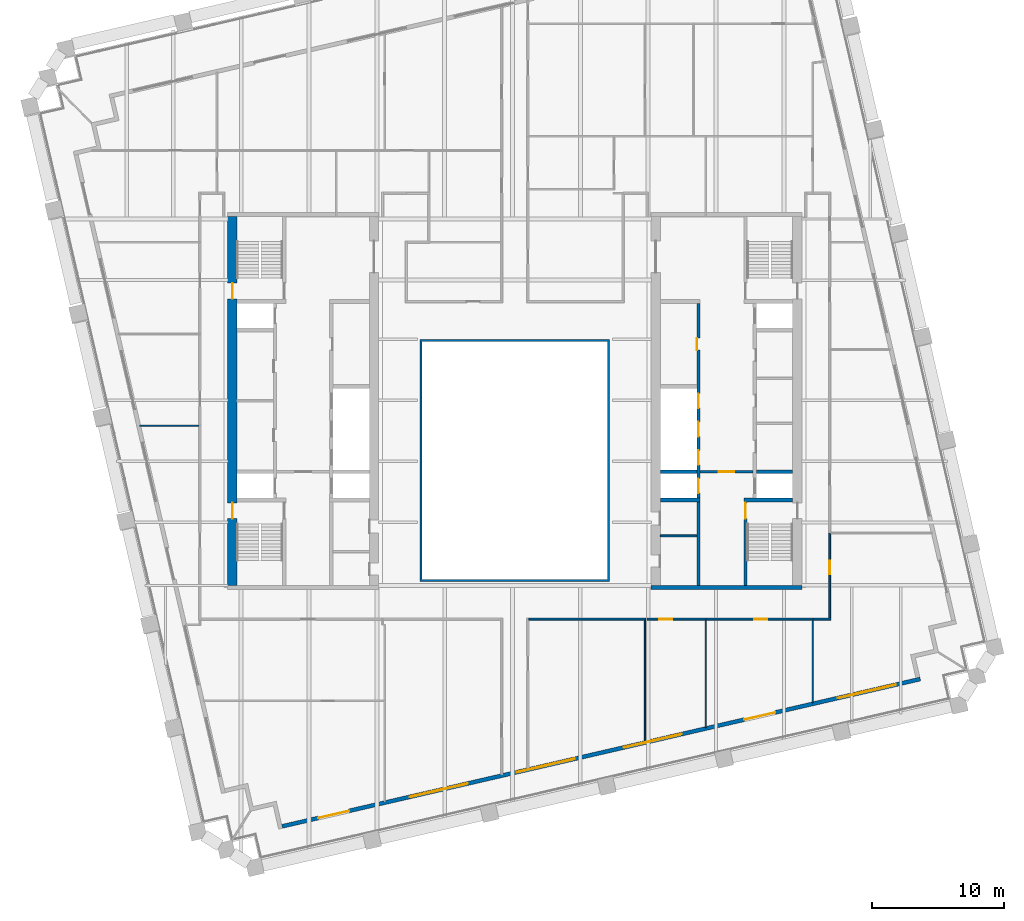
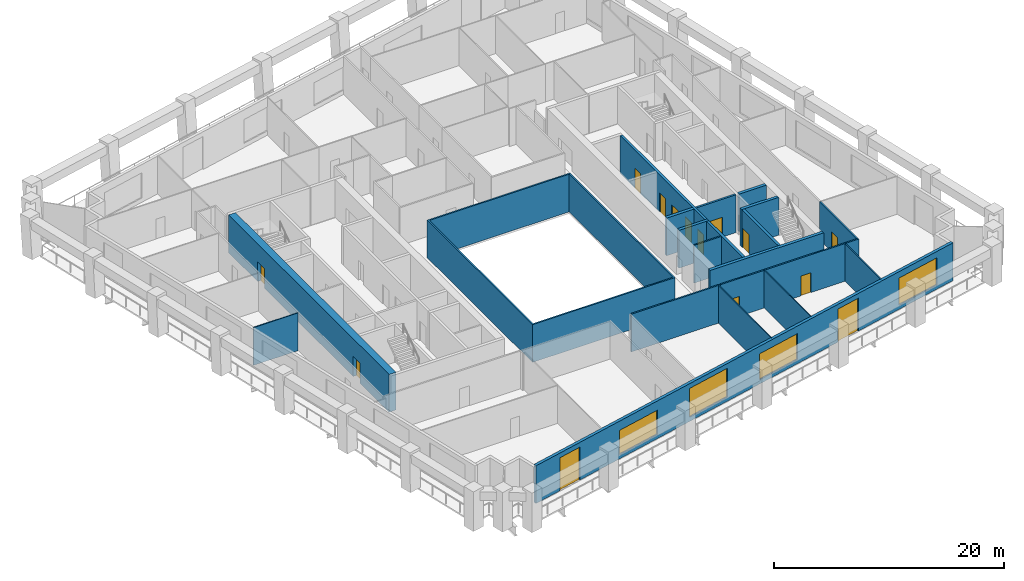
# One storey, part 5 of 11: 21 walls, 14 doors, 4 windows, 18 openings.
"""IFC4 building model written with IfcOpenShell, lengths in metres."""

import ifcopenshell
import ifcopenshell.guid

model = None  # the IFC model being written
_history = None  # IfcOwnerHistory: only IFC2X3 demands one
_inside = {}  # id of a spatial element -> (the spatial element, [elements in it])
_under = {}  # id of a project, library or spatial element -> (it, [spatial elements below it])
_declared = {}  # id of a project -> (the project, [libraries it declares])
_typed = {}  # id of a type object -> (the type object, [elements of that type])
_made_of = {}  # id of a material, layer set ... -> (it, [elements and type objects made of it])


def new_model(schema):
    """Start an empty IFC model of exactly this schema.

    Asked for "IFC4X3", IfcOpenShell would pick the latest addendum, in which some entities
    have other attributes; the version numbers below select the first issue.
    IFC2X3 requires an IfcOwnerHistory on every rooted entity: one is made here for all.
    """
    global model, _history
    if schema == "IFC4X3":
        model = ifcopenshell.file(schema_version=(4, 3, 0, 0))
    else:
        model = ifcopenshell.file(schema=schema)
    _inside.clear()
    _under.clear()
    _declared.clear()
    _typed.clear()
    _made_of.clear()
    _history = None
    if model.schema == "IFC2X3":
        org = make("IfcOrganization", Name="unknown")
        user = make(
            "IfcPersonAndOrganization",
            ThePerson=make("IfcPerson", FamilyName="unknown"),
            TheOrganization=org,
        )
        app = make(
            "IfcApplication",
            ApplicationDeveloper=org,
            Version="unknown",
            ApplicationFullName="unknown",
            ApplicationIdentifier="unknown",
        )
        _history = make(
            "IfcOwnerHistory",
            OwningUser=user,
            OwningApplication=app,
            ChangeAction="ADDED",
            CreationDate=0,
        )
    return model


def make(cls, **values):
    """One entity of the class cls with the attributes given. An attribute that is None is left unset."""
    return model.create_entity(
        cls, **{name: value for name, value in values.items() if value is not None}
    )


def rooted(cls, **values):
    """An entity with a GlobalId (a new one), such as an element, a storey or a relation."""
    return make(cls, GlobalId=ifcopenshell.guid.new(), OwnerHistory=_history, **values)


def si_unit(unit_type, name, prefix=None):
    """IfcSIUnit, for example si_unit("LENGTHUNIT", "METRE", prefix="MILLI")."""
    return make("IfcSIUnit", UnitType=unit_type, Prefix=prefix, Name=name)


def assignment(units):
    """IfcUnitAssignment: the units of a project."""
    return None if units is None else make("IfcUnitAssignment", Units=units)


def point(xyz):
    """IfcCartesianPoint."""
    return None if xyz is None else make("IfcCartesianPoint", Coordinates=xyz)


def direction(xyz):
    """IfcDirection."""
    return None if xyz is None else make("IfcDirection", DirectionRatios=xyz)


def frame(location, z_axis=None, x_axis=None):
    """IfcAxis2Placement3D, a coordinate frame: its origin and axes. An axis left out is left unset."""
    return make(
        "IfcAxis2Placement3D",
        Location=point(location),
        Axis=direction(z_axis),
        RefDirection=direction(x_axis),
    )


def frame_2d(location, x_axis=None):
    """IfcAxis2Placement2D, a coordinate frame in the plane: its origin and x axis."""
    return make(
        "IfcAxis2Placement2D", Location=point(location), RefDirection=direction(x_axis)
    )


def origin():
    """The frame at (0, 0, 0) with its axes left unset."""
    return frame((0.0, 0.0, 0.0))


def place(relative_to, where):
    """IfcLocalPlacement: puts the frame where relative to a parent placement (None: the world)."""
    return make(
        "IfcLocalPlacement", PlacementRelTo=relative_to, RelativePlacement=where
    )


def context(
    kind, dimensions, precision=None, world=None, true_north=None, identifier=None
):
    """IfcGeometricRepresentationContext, for example the 3D "Model" context."""
    return make(
        "IfcGeometricRepresentationContext",
        ContextIdentifier=identifier,
        ContextType=kind,
        CoordinateSpaceDimension=dimensions,
        Precision=precision,
        WorldCoordinateSystem=world,
        TrueNorth=true_north,
    )


def subcontext(parent, identifier, kind, view, scale=None):
    """IfcGeometricRepresentationSubContext, for example "Body" below "Model"."""
    return make(
        "IfcGeometricRepresentationSubContext",
        ContextIdentifier=identifier,
        ContextType=kind,
        ParentContext=parent,
        TargetScale=scale,
        TargetView=view,
    )


def project(units=None, contexts=None):
    """IfcProject with its units and contexts."""
    return rooted(
        "IfcProject",
        Name="project",
        RepresentationContexts=contexts,
        UnitsInContext=assignment(units),
    )


def spatial(cls, under=None, at=None, **own):
    """A site, building, storey or space (cls), placed at a placement, below another one or the project."""
    s = rooted(cls, ObjectPlacement=at, **own)
    if under is not None:
        _under.setdefault(under.id(), (under, []))[1].append(s)
    return s


def polyline(points):
    """IfcPolyline through the points."""
    return make("IfcPolyline", Points=[point(p) for p in points])


def profile(cls, at=None, kind="AREA", **sizes):
    """A parametric profile (cls). Its sizes go by their IFC names, for example OverallWidth=200.0."""
    return make(cls, ProfileType=kind, Position=at, **sizes)


def rectangle(**sizes):
    """IfcRectangleProfileDef."""
    return profile("IfcRectangleProfileDef", **sizes)


def outline(outer, holes=None, kind="AREA"):
    """IfcArbitraryClosedProfileDef: a profile drawn as a closed curve; with holes, ...WithVoids."""
    if holes is None:
        return make("IfcArbitraryClosedProfileDef", ProfileType=kind, OuterCurve=outer)
    return make(
        "IfcArbitraryProfileDefWithVoids",
        ProfileType=kind,
        OuterCurve=outer,
        InnerCurves=holes,
    )


def extrude(swept, where, along, depth):
    """IfcExtrudedAreaSolid: the profile swept, set in the frame where, extruded along a direction by depth."""
    return make(
        "IfcExtrudedAreaSolid",
        SweptArea=swept,
        Position=where,
        ExtrudedDirection=direction(along),
        Depth=depth,
    )


def shape(context_of_items, identifier, shape_type, items):
    """IfcShapeRepresentation: the items that make up one representation, for example the "Body"."""
    return make(
        "IfcShapeRepresentation",
        ContextOfItems=context_of_items,
        RepresentationIdentifier=identifier,
        RepresentationType=shape_type,
        Items=items,
    )


def material(Name=None, Category=None):
    """IfcMaterial."""
    return make("IfcMaterial", Name=Name, Category=Category)


def layer(
    of_material, thickness, ventilated=None, Name=None, Category=None, Priority=None
):
    """IfcMaterialLayer: one layer of a wall or slab, of a material (None: an air gap)."""
    return make(
        "IfcMaterialLayer",
        Material=of_material,
        LayerThickness=thickness,
        IsVentilated=ventilated,
        Name=Name,
        Category=Category,
        Priority=Priority,
    )


def layer_set(layers, Name=None):
    """IfcMaterialLayerSet."""
    return make("IfcMaterialLayerSet", MaterialLayers=layers, LayerSetName=Name)


def made_of(thing, what):
    """Note that an element or type object is made of a material, layer set ...; save() writes the relation."""
    if what is not None:
        _made_of.setdefault(what.id(), (what, []))[1].append(thing)
    return thing


def type_object(cls, material=None, **own):
    """A type object (cls), such as IfcWallType, which elements share."""
    return made_of(rooted(cls, **own), material)


def element(
    cls,
    number,
    at=None,
    inside=None,
    cuts=None,
    type_object=None,
    material=None,
    context=None,
    identifier="Body",
    shape_type=None,
    held_by="IfcProductDefinitionShape",
    body=None,
    shapes=None,
    **own,
):
    """One element of the class cls, such as IfcWall. Its Tag is "e" and its number.

    at: its placement. inside: the storey or other place that contains it. cuts: it is an
    opening in that element (IfcRelVoidsElement). A single representation is given by context,
    identifier, shape_type and body (its items); several are given by shapes. held_by: the class
    of the entity that holds the representations. save() writes the other relations.
    """
    e = rooted(cls, Tag="e%d" % number, ObjectPlacement=at, **own)
    if body is not None:
        shapes = [shape(context, identifier, shape_type, body)]
    if shapes is not None:
        e.Representation = make(held_by, Representations=shapes)
    if inside is not None:
        _inside.setdefault(inside.id(), (inside, []))[1].append(e)
    if cuts is not None:
        rooted(
            "IfcRelVoidsElement", RelatingBuildingElement=cuts, RelatedOpeningElement=e
        )
    if type_object is not None:
        _typed.setdefault(type_object.id(), (type_object, []))[1].append(e)
    return made_of(e, material)


def fill(opening, filler):
    """IfcRelFillsElement: the door or window that sits in an opening."""
    return rooted(
        "IfcRelFillsElement",
        RelatingOpeningElement=opening,
        RelatedBuildingElement=filler,
    )


def aggregate(whole, parts):
    """IfcRelAggregates: a whole, such as a stair, and the parts it consists of."""
    return rooted("IfcRelAggregates", RelatingObject=whole, RelatedObjects=parts)


def save(model, path):
    """Write the relations noted so far, then the file.

    IfcRelAggregates (storeys below a building ...), IfcRelContainedInSpatialStructure (elements
    in a storey), IfcRelDefinesByType, IfcRelAssociatesMaterial and IfcRelDeclares: one each for
    every whole, place, type object, material and project.
    """
    for whole, parts in _under.values():
        aggregate(whole, parts)
    for where, things in _inside.values():
        rooted(
            "IfcRelContainedInSpatialStructure",
            RelatedElements=things,
            RelatingStructure=where,
        )
    for kind, things in _typed.values():
        rooted("IfcRelDefinesByType", RelatedObjects=things, RelatingType=kind)
    for what, things in _made_of.values():
        rooted("IfcRelAssociatesMaterial", RelatedObjects=things, RelatingMaterial=what)
    for by, libraries in _declared.values():
        rooted("IfcRelDeclares", RelatingContext=by, RelatedDefinitions=libraries)
    model.write(path)


model = new_model("IFC4")

# Units and contexts
model_context = context("Model", 3, precision=1e-05, world=origin(), true_north=direction((0.0, 1.0)))
body_context = subcontext(model_context, "Body", "Model", "MODEL_VIEW")
ifc_project = project(units=[si_unit("LENGTHUNIT", "METRE"), si_unit("AREAUNIT", "SQUARE_METRE"), si_unit("VOLUMEUNIT", "CUBIC_METRE"), si_unit("PLANEANGLEUNIT", "RADIAN"), si_unit("MASSUNIT", "GRAM", prefix="KILO")], contexts=[model_context])

# Site, building, storey
site_placement = place(None, origin())
site = spatial("IfcSite", under=ifc_project, at=site_placement, CompositionType="ELEMENT")
building_placement = place(site_placement, origin())
building = spatial("IfcBuilding", under=site, at=building_placement, Name="Ogive Exchange Tower", CompositionType="ELEMENT")
storey_placement = place(building_placement, frame((0.0, 0.0, 184.199951171875)))
storey = spatial("IfcBuildingStorey", under=building, at=storey_placement, Name="L40", CompositionType="ELEMENT", Elevation=184.199951171875)

# Walls
ifc_material_1 = material(Name="Gypsum board partition")
ifc_layer_1 = layer(ifc_material_1, 0.14990234375)
ifc_layer_set_1 = layer_set([ifc_layer_1], Name="Core room partition 150 gypsum")
wall_type_1 = type_object("IfcWallType", Name="Core room partition 150 gypsum", PredefinedType="PARTITIONING", material=ifc_layer_set_1)
wall_1_placement = place(storey_placement, frame((11.0, 1.300048828125, 0.0), z_axis=(0.0, 0.0, 1.0), x_axis=(1.0, 0.0, 0.0)))
element("IfcWall", 1, at=wall_1_placement, inside=storey, type_object=wall_type_1, Name="E south room partition", PredefinedType="PARTITIONING", context=body_context, shape_type="SweptSolid", body=[
    extrude(rectangle(XDim=2.75, YDim=0.14990234375, at=frame_2d((1.375, 0.0))), origin(), (0.0, 0.0, 1.0), 4.0),
])
ifc_material_2 = material(Name="Fire partition EI 60 150")
ifc_layer_2 = layer(ifc_material_2, 0.14990234375)
ifc_layer_set_2 = layer_set([ifc_layer_2], Name="Fire partition EI 60 150")
wall_type_2 = type_object("IfcWallType", Name="Fire partition EI 60 150", PredefinedType="PARTITIONING", material=ifc_layer_set_2)
wall_2_placement = place(storey_placement, frame((9.8798828125, -5.0, 0.0), z_axis=(0.0, 0.0, 1.0), x_axis=(-1.0, 0.0, 0.0)))
element("IfcWall", 2, at=wall_2_placement, inside=storey, type_object=wall_type_2, Name="L40-PWL-055", PredefinedType="PARTITIONING", context=body_context, shape_type="SweptSolid", body=[
    extrude(rectangle(XDim=8.81494140625, YDim=0.14990234375, at=frame_2d((4.407470703125, 0.0))), origin(), (0.0, 0.0, 1.0), 4.0),
])

# Wall, opening, door
wall_3_placement = place(storey_placement, frame((14.429931640625, -5.0, 0.0), z_axis=(0.0, 0.0, 1.0), x_axis=(-1.0, 0.0, 0.0)))
wall_3 = element("IfcWall", 3, at=wall_3_placement, inside=storey, type_object=wall_type_2, Name="L40-PWL-064", PredefinedType="PARTITIONING", context=body_context, shape_type="SweptSolid", body=[
    extrude(rectangle(XDim=4.429931640625, YDim=0.14990234375, at=frame_2d((2.21484375, 0.0))), origin(), (0.0, 0.0, 1.0), 4.0),
])
opening_1_placement = place(wall_3_placement, frame((2.530029296875, 0.0, 0.0)))
opening_1 = element("IfcOpeningElement", 4, at=opening_1_placement, cuts=wall_3, Name="Opening L40-I16", PredefinedType="OPENING", context=body_context, shape_type="SweptSolid", body=[
    extrude(rectangle(XDim=1.0, YDim=2.10009765625, at=frame_2d((0.5, 1.050048828125))), frame((0.0, 0.0849609375, 0.0), z_axis=(0.0, -1.0, 0.0), x_axis=(1.0, 0.0, 0.0)), (0.0, 0.0, 1.0), 0.169921875),
])
ifc_material_3 = material(Name="Fire door FD 30S 1000 x 2100")
door_type_1 = type_object("IfcDoorType", Name="Fire door FD 30S 1000 x 2100", OperationType="NOTDEFINED", PredefinedType="DOOR", material=ifc_material_3)
door_1_placement = place(opening_1_placement, origin())
door_1 = element("IfcDoor", 5, at=door_1_placement, inside=storey, type_object=door_type_1, Name="L40-IDR-016", ObjectType="DT3", OperationType="SINGLE_SWING_LEFT", OverallHeight=2.10009765625, OverallWidth=1.0, PredefinedType="DOOR", context=body_context, shape_type="SweptSolid", body=[
    extrude(rectangle(XDim=1.0, YDim=2.10009765625, at=frame_2d((0.5, 1.050048828125))), frame((0.0, 0.02490234375, 0.0), z_axis=(0.0, -1.0, 0.0), x_axis=(1.0, 0.0, 0.0)), (0.0, 0.0, 1.0), 0.050048828125),
])
fill(opening_1, door_1)

wall_4_placement = place(storey_placement, frame((22.570068359375, -5.0, 0.0), z_axis=(0.0, 0.0, 1.0), x_axis=(-1.0, 0.0, 0.0)))
wall_4 = element("IfcWall", 6, at=wall_4_placement, inside=storey, type_object=wall_type_2, Name="L40-PWL-070", PredefinedType="PARTITIONING", context=body_context, shape_type="SweptSolid", body=[
    extrude(rectangle(XDim=8.14013671875, YDim=0.14990234375, at=frame_2d((4.070068359375, 0.0))), origin(), (0.0, 0.0, 1.0), 4.0),
])
opening_2_placement = place(wall_4_placement, frame((3.489990234375, 0.0, 0.0)))
opening_2 = element("IfcOpeningElement", 7, at=opening_2_placement, cuts=wall_4, Name="Opening L40-I17", PredefinedType="OPENING", context=body_context, shape_type="SweptSolid", body=[
    extrude(rectangle(XDim=1.0, YDim=2.10009765625, at=frame_2d((0.5, 1.050048828125))), frame((0.0, 0.0849609375, 0.0), z_axis=(0.0, -1.0, 0.0), x_axis=(1.0, 0.0, 0.0)), (0.0, 0.0, 1.0), 0.169921875),
])
door_2_placement = place(opening_2_placement, origin())
door_2 = element("IfcDoor", 8, at=door_2_placement, inside=storey, type_object=door_type_1, Name="L40-IDR-017", ObjectType="DT3", OperationType="SINGLE_SWING_LEFT", OverallHeight=2.10009765625, OverallWidth=1.0, PredefinedType="DOOR", context=body_context, shape_type="SweptSolid", body=[
    extrude(rectangle(XDim=1.0, YDim=2.10009765625, at=frame_2d((0.5, 1.050048828125))), frame((0.0, 0.02490234375, 0.0), z_axis=(0.0, -1.0, 0.0), x_axis=(1.0, 0.0, 0.0)), (0.0, 0.0, 1.0), 0.050048828125),
])
fill(opening_2, door_2)

# Wall
wall_5_placement = place(storey_placement, frame((23.875, -5.0, 0.0), z_axis=(0.0, 0.0, 1.0), x_axis=(-1.0, 0.0, 0.0)))
element("IfcWall", 9, at=wall_5_placement, inside=storey, type_object=wall_type_2, Name="L40-PWL-077", PredefinedType="PARTITIONING", context=body_context, shape_type="SweptSolid", body=[
    extrude(rectangle(XDim=1.304931640625, YDim=0.14990234375, at=frame_2d((0.65234375, 0.0))), origin(), (0.0, 0.0, 1.0), 4.0),
])

# Wall, opening, door
wall_6_placement = place(storey_placement, frame((23.800048828125, 1.510009765625, 0.0), z_axis=(0.0, 0.0, 1.0), x_axis=(0.0, -1.0, 0.0)))
wall_6 = element("IfcWall", 10, at=wall_6_placement, inside=storey, type_object=wall_type_2, Name="L40-PWL-078", PredefinedType="PARTITIONING", context=body_context, shape_type="SweptSolid", body=[
    extrude(rectangle(XDim=6.43505859375, YDim=0.14990234375, at=frame_2d((3.217529296875, 0.0))), origin(), (0.0, 0.0, 1.0), 4.0),
])
opening_3_placement = place(wall_6_placement, frame((2.110107421875, 0.0, 0.0)))
opening_3 = element("IfcOpeningElement", 11, at=opening_3_placement, cuts=wall_6, Name="Opening L40-I18", PredefinedType="OPENING", context=body_context, shape_type="SweptSolid", body=[
    extrude(rectangle(XDim=1.0, YDim=2.10009765625, at=frame_2d((0.5, 1.050048828125))), frame((0.0, 0.0849609375, 0.0), z_axis=(0.0, -1.0, 0.0), x_axis=(1.0, 0.0, 0.0)), (0.0, 0.0, 1.0), 0.169921875),
])
door_3_placement = place(opening_3_placement, origin())
door_3 = element("IfcDoor", 12, at=door_3_placement, inside=storey, type_object=door_type_1, Name="L40-IDR-018", ObjectType="DT3", OperationType="SINGLE_SWING_RIGHT", OverallHeight=2.10009765625, OverallWidth=1.0, PredefinedType="DOOR", context=body_context, shape_type="SweptSolid", body=[
    extrude(rectangle(XDim=1.0, YDim=2.10009765625, at=frame_2d((0.5, 1.050048828125))), frame((0.0, 0.02490234375, 0.0), z_axis=(0.0, -1.0, 0.0), x_axis=(1.0, 0.0, 0.0)), (0.0, 0.0, 1.0), 0.050048828125),
])
fill(opening_3, door_3)

# Wall
ifc_material_4 = material(Name="Fire-resisting glass in steel frame", Category="steel")
ifc_layer_3 = layer(ifc_material_4, 0.14990234375)
ifc_layer_set_3 = layer_set([ifc_layer_3], Name="Fire-rated glazed wall 150")
wall_type_3 = type_object("IfcWallType", Name="Fire-rated glazed wall 150", PredefinedType="STANDARD", material=ifc_layer_set_3)
wall_7_placement = place(storey_placement, origin())
element("IfcWall", 13, at=wall_7_placement, inside=storey, type_object=wall_type_3, Name="Nave enclosure wall", PredefinedType="STANDARD", context=body_context, shape_type="SweptSolid", body=[
    extrude(outline(polyline([(-7.14990234375, -2.14990234375), (7.14990234375, -2.14990234375), (7.14990234375, 16.14990234375), (-7.14990234375, 16.14990234375), (-7.14990234375, -2.14990234375)]), holes=[polyline([(-7.0, -2.0), (-7.0, 16.0), (7.0, 16.0), (7.0, -2.0), (-7.0, -2.0)])]), origin(), (0.0, 0.0, 1.0), 4.0),
])

# Wall, openings, doors, windows
ifc_material_5 = material(Name="Precast concrete C40/50", Category="concrete")
ifc_layer_4 = layer(ifc_material_5, 0.300048828125)
ifc_layer_set_4 = layer_set([ifc_layer_4], Name="Limestone-faced wall 300")
wall_type_4 = type_object("IfcWallType", Name="Limestone-faced wall 300", PredefinedType="STANDARD", material=ifc_layer_set_4)
wall_8_placement = place(storey_placement, frame((-17.592041015625, -20.6572265625, 0.0), z_axis=(0.0, 0.0, 1.0), x_axis=(0.974370243697, 0.224950279389, 0.0)))
wall_8 = element("IfcWall", 14, at=wall_8_placement, inside=storey, type_object=wall_type_4, Name="External wall S1", PredefinedType="STANDARD", context=body_context, shape_type="SweptSolid", body=[
    extrude(rectangle(XDim=49.499755859375, YDim=0.300048828125, at=frame_2d((24.75, 0.0))), origin(), (0.0, 0.0, 1.0), 4.0),
])
opening_4_placement = place(wall_8_placement, frame((2.800048828125, 0.0, 0.0)))
opening_4 = element("IfcOpeningElement", 15, at=opening_4_placement, cuts=wall_8, Name="Opening D1", PredefinedType="OPENING", context=body_context, shape_type="SweptSolid", body=[
    extrude(rectangle(XDim=2.39990234375, YDim=3.5, at=frame_2d((1.199951171875, 1.75))), frame((0.0, 0.159912109375, 0.0), z_axis=(0.0, -1.0, 0.0), x_axis=(1.0, 0.0, 0.0)), (0.0, 0.0, 1.0), 0.320068359375),
])
opening_5_placement = place(wall_8_placement, frame((9.89990234375, 0.0, 0.449951171875)))
opening_5 = element("IfcOpeningElement", 16, at=opening_5_placement, cuts=wall_8, Name="Opening W1M", PredefinedType="OPENING", context=body_context, shape_type="SweptSolid", body=[
    extrude(rectangle(XDim=4.5, YDim=2.574951171875, at=frame_2d((2.25, 1.28759765625))), frame((0.0, 0.159912109375, 0.0), z_axis=(0.0, -1.0, 0.0), x_axis=(1.0, 0.0, 0.0)), (0.0, 0.0, 1.0), 0.320068359375),
])
opening_6_placement = place(wall_8_placement, frame((18.199951171875, 0.0, 0.449951171875)))
opening_6 = element("IfcOpeningElement", 17, at=opening_6_placement, cuts=wall_8, Name="Opening W1", PredefinedType="OPENING", context=body_context, shape_type="SweptSolid", body=[
    extrude(rectangle(XDim=4.5, YDim=3.050048828125, at=frame_2d((2.25, 1.52490234375))), frame((0.0, 0.159912109375, 0.0), z_axis=(0.0, -1.0, 0.0), x_axis=(1.0, 0.0, 0.0)), (0.0, 0.0, 1.0), 0.320068359375),
])
opening_7_placement = place(wall_8_placement, frame((26.5, 0.0, 0.449951171875)))
opening_7 = element("IfcOpeningElement", 18, at=opening_7_placement, cuts=wall_8, Name="Opening W1H", PredefinedType="OPENING", context=body_context, shape_type="SweptSolid", body=[
    extrude(rectangle(XDim=4.5, YDim=2.75, at=frame_2d((2.25, 1.375))), frame((0.0, 0.159912109375, 0.0), z_axis=(0.0, -1.0, 0.0), x_axis=(1.0, 0.0, 0.0)), (0.0, 0.0, 1.0), 0.320068359375),
])
opening_8_placement = place(wall_8_placement, frame((35.85009765625, 0.0, 0.0)))
opening_8 = element("IfcOpeningElement", 19, at=opening_8_placement, cuts=wall_8, Name="Opening D1", PredefinedType="OPENING", context=body_context, shape_type="SweptSolid", body=[
    extrude(rectangle(XDim=2.39990234375, YDim=3.5, at=frame_2d((1.199951171875, 1.75))), frame((0.0, 0.159912109375, 0.0), z_axis=(0.0, -1.0, 0.0), x_axis=(1.0, 0.0, 0.0)), (0.0, 0.0, 1.0), 0.320068359375),
])
opening_9_placement = place(wall_8_placement, frame((43.10009765625, 0.0, 0.449951171875)))
opening_9 = element("IfcOpeningElement", 20, at=opening_9_placement, cuts=wall_8, Name="Opening W1D", PredefinedType="OPENING", context=body_context, shape_type="SweptSolid", body=[
    extrude(rectangle(XDim=4.5, YDim=2.875, at=frame_2d((2.25, 1.4375))), frame((0.0, 0.159912109375, 0.0), z_axis=(0.0, -1.0, 0.0), x_axis=(1.0, 0.0, 0.0)), (0.0, 0.0, 1.0), 0.320068359375),
])
ifc_material_6 = material(Name="Clear glass in bronze frame", Category="glass")
door_type_2 = type_object("IfcDoorType", Name="Sliding loggia door 2400 x 3500", OperationType="DOUBLE_DOOR_SLIDING", PredefinedType="DOOR", material=ifc_material_6)
door_4_placement = place(opening_4_placement, origin())
door_4 = element("IfcDoor", 21, at=door_4_placement, inside=storey, type_object=door_type_2, Name="Loggia door S00", OperationType="DOUBLE_DOOR_SLIDING", OverallHeight=3.5, OverallWidth=2.39990234375, PredefinedType="DOOR", context=body_context, shape_type="SweptSolid", body=[
    extrude(rectangle(XDim=2.39990234375, YDim=3.5, at=frame_2d((1.199951171875, 1.75))), frame((0.0, 0.02490234375, 0.0), z_axis=(0.0, -1.0, 0.0), x_axis=(1.0, 0.0, 0.0)), (0.0, 0.0, 1.0), 0.050048828125),
])
fill(opening_4, door_4)
door_5_placement = place(opening_8_placement, origin())
door_5 = element("IfcDoor", 22, at=door_5_placement, inside=storey, type_object=door_type_2, Name="Loggia door S04", OperationType="DOUBLE_DOOR_SLIDING", OverallHeight=3.5, OverallWidth=2.39990234375, PredefinedType="DOOR", context=body_context, shape_type="SweptSolid", body=[
    extrude(rectangle(XDim=2.39990234375, YDim=3.5, at=frame_2d((1.199951171875, 1.75))), frame((0.0, 0.02490234375, 0.0), z_axis=(0.0, -1.0, 0.0), x_axis=(1.0, 0.0, 0.0)), (0.0, 0.0, 1.0), 0.050048828125),
])
fill(opening_8, door_5)
window_type_1 = type_object("IfcWindowType", Name="Twin lancet window 4500 x 2575", PartitioningType="DOUBLE_PANEL_VERTICAL", PredefinedType="WINDOW", material=ifc_material_6)
window_1_placement = place(opening_5_placement, origin())
window_1 = element("IfcWindow", 23, at=window_1_placement, inside=storey, type_object=window_type_1, Name="Window S01", OverallHeight=2.574951171875, OverallWidth=4.5, PartitioningType="DOUBLE_PANEL_VERTICAL", PredefinedType="WINDOW", context=body_context, shape_type="SweptSolid", body=[
    extrude(rectangle(XDim=4.5, YDim=2.574951171875, at=frame_2d((2.25, 1.28759765625))), frame((0.0, 0.030029296875, 0.0), z_axis=(0.0, -1.0, 0.0), x_axis=(1.0, 0.0, 0.0)), (0.0, 0.0, 1.0), 0.06005859375),
])
fill(opening_5, window_1)
window_type_2 = type_object("IfcWindowType", Name="Twin lancet window 4500 x 2750", PartitioningType="DOUBLE_PANEL_VERTICAL", PredefinedType="WINDOW", material=ifc_material_6)
window_2_placement = place(opening_7_placement, origin())
window_2 = element("IfcWindow", 24, at=window_2_placement, inside=storey, type_object=window_type_2, Name="Window S03", OverallHeight=2.75, OverallWidth=4.5, PartitioningType="DOUBLE_PANEL_VERTICAL", PredefinedType="WINDOW", context=body_context, shape_type="SweptSolid", body=[
    extrude(rectangle(XDim=4.5, YDim=2.75, at=frame_2d((2.25, 1.375))), frame((0.0, 0.030029296875, 0.0), z_axis=(0.0, -1.0, 0.0), x_axis=(1.0, 0.0, 0.0)), (0.0, 0.0, 1.0), 0.06005859375),
])
fill(opening_7, window_2)
window_type_3 = type_object("IfcWindowType", Name="Twin lancet window 4500 x 2875", PartitioningType="DOUBLE_PANEL_VERTICAL", PredefinedType="WINDOW", material=ifc_material_6)
window_3_placement = place(opening_9_placement, origin())
window_3 = element("IfcWindow", 25, at=window_3_placement, inside=storey, type_object=window_type_3, Name="Window S05", OverallHeight=2.875, OverallWidth=4.5, PartitioningType="DOUBLE_PANEL_VERTICAL", PredefinedType="WINDOW", context=body_context, shape_type="SweptSolid", body=[
    extrude(rectangle(XDim=4.5, YDim=2.875, at=frame_2d((2.25, 1.4375))), frame((0.0, 0.030029296875, 0.0), z_axis=(0.0, -1.0, 0.0), x_axis=(1.0, 0.0, 0.0)), (0.0, 0.0, 1.0), 0.06005859375),
])
fill(opening_9, window_3)
window_type_4 = type_object("IfcWindowType", Name="Twin lancet window 4500 x 3050", PartitioningType="DOUBLE_PANEL_VERTICAL", PredefinedType="WINDOW", material=ifc_material_6)
window_4_placement = place(opening_6_placement, origin())
window_4 = element("IfcWindow", 26, at=window_4_placement, inside=storey, type_object=window_type_4, Name="Window S02", OverallHeight=3.050048828125, OverallWidth=4.5, PartitioningType="DOUBLE_PANEL_VERTICAL", PredefinedType="WINDOW", context=body_context, shape_type="SweptSolid", body=[
    extrude(rectangle(XDim=4.5, YDim=3.050048828125, at=frame_2d((2.25, 1.52490234375))), frame((0.0, 0.030029296875, 0.0), z_axis=(0.0, -1.0, 0.0), x_axis=(1.0, 0.0, 0.0)), (0.0, 0.0, 1.0), 0.06005859375),
])
fill(opening_6, window_4)

# Walls
ifc_material_7 = material(Name="Partition 100 gypsum")
ifc_layer_5 = layer(ifc_material_7, 0.10009765625)
ifc_layer_set_5 = layer_set([ifc_layer_5], Name="Partition 100 gypsum")
wall_type_5 = type_object("IfcWallType", Name="Partition 100 gypsum", PredefinedType="PARTITIONING", material=ifc_layer_set_5)
wall_9_placement = place(storey_placement, frame((-23.875, 9.6201171875, 0.0), z_axis=(0.0, 0.0, 1.0), x_axis=(-1.0, 0.0, 0.0)))
element("IfcWall", 27, at=wall_9_placement, inside=storey, type_object=wall_type_5, Name="L40-PWL-004", PredefinedType="PARTITIONING", context=body_context, shape_type="SweptSolid", body=[
    extrude(rectangle(XDim=4.485107421875, YDim=0.10009765625, at=frame_2d((2.24267578125, 0.0))), origin(), (0.0, 0.0, 1.0), 4.0),
])
wall_10_placement = place(storey_placement, frame((9.830078125, -5.074951171875, 0.0), z_axis=(0.0, 0.0, 1.0), x_axis=(0.0, -1.0, 0.0)))
element("IfcWall", 28, at=wall_10_placement, inside=storey, type_object=wall_type_5, Name="L40-PWL-056", PredefinedType="PARTITIONING", context=body_context, shape_type="SweptSolid", body=[
    extrude(rectangle(XDim=9.179931640625, YDim=0.10009765625, at=frame_2d((4.58984375, 0.0))), origin(), (0.0, 0.0, 1.0), 4.0),
])
wall_11_placement = place(storey_placement, frame((14.429931640625, -5.074951171875, 0.0), z_axis=(0.0, 0.0, 1.0), x_axis=(0.0, -1.0, 0.0)))
element("IfcWall", 29, at=wall_11_placement, inside=storey, type_object=wall_type_5, Name="L40-PWL-065", PredefinedType="PARTITIONING", context=body_context, shape_type="SweptSolid", body=[
    extrude(rectangle(XDim=8.1181640625, YDim=0.10009765625, at=frame_2d((4.05908203125, 0.0))), origin(), (0.0, 0.0, 1.0), 4.0),
])
wall_12_placement = place(storey_placement, frame((22.52001953125, -5.074951171875, 0.0), z_axis=(0.0, 0.0, 1.0), x_axis=(0.0, -1.0, 0.0)))
element("IfcWall", 30, at=wall_12_placement, inside=storey, type_object=wall_type_5, Name="L40-PWL-071", PredefinedType="PARTITIONING", context=body_context, shape_type="SweptSolid", body=[
    extrude(rectangle(XDim=6.25, YDim=0.10009765625, at=frame_2d((3.125, 0.0))), origin(), (0.0, 0.0, 1.0), 4.0),
])

# Wall, opening, door
ifc_material_8 = material(Name="Concrete C70/85", Category="concrete")
ifc_layer_6 = layer(ifc_material_8, 0.199951171875)
ifc_layer_set_6 = layer_set([ifc_layer_6], Name="RC core wall 200 C70/85")
wall_type_6 = type_object("IfcWallType", Name="RC core wall 200 C70/85", PredefinedType="SHEAR", material=ifc_layer_set_6)
wall_13_placement = place(storey_placement, frame((14.0, 6.142822265625, 0.0), z_axis=(0.0, 0.0, 1.0), x_axis=(1.0, 0.0, 0.0)))
wall_13 = element("IfcWall", 31, at=wall_13_placement, inside=storey, type_object=wall_type_6, Name="E firefighting lobby wall", PredefinedType="SHEAR", context=body_context, shape_type="SweptSolid", body=[
    extrude(rectangle(XDim=4.0, YDim=0.199951171875, at=frame_2d((2.0, 0.0))), origin(), (0.0, 0.0, 1.0), 4.0),
])
opening_10_placement = place(wall_13_placement, frame((1.39990234375, 0.0, 0.0)))
opening_10 = element("IfcOpeningElement", 32, at=opening_10_placement, cuts=wall_13, Name="Opening L40-C28", PredefinedType="OPENING", context=body_context, shape_type="SweptSolid", body=[
    extrude(rectangle(XDim=1.199951171875, YDim=2.10009765625, at=frame_2d((0.60009765625, 1.050048828125))), frame((0.0, 0.10986328125, 0.0), z_axis=(0.0, -1.0, 0.0), x_axis=(1.0, 0.0, 0.0)), (0.0, 0.0, 1.0), 0.219970703125),
])
ifc_material_9 = material(Name="Steel fire door", Category="steel")
door_type_3 = type_object("IfcDoorType", Name="Firefighting lobby door FD60 1200 x 2100", OperationType="NOTDEFINED", PredefinedType="DOOR", material=ifc_material_9)
door_6_placement = place(opening_10_placement, frame((1.199951171875, 0.0, 0.0), z_axis=(0.0, 0.0, 1.0), x_axis=(-1.0, 0.0, 0.0)))
door_6 = element("IfcDoor", 33, at=door_6_placement, inside=storey, type_object=door_type_3, Name="Firefighting lobby door", ObjectType="CD3", OperationType="SINGLE_SWING_RIGHT", OverallHeight=2.10009765625, OverallWidth=1.199951171875, PredefinedType="DOOR", context=body_context, shape_type="SweptSolid", body=[
    extrude(rectangle(XDim=1.199951171875, YDim=2.10009765625, at=frame_2d((0.60009765625, 1.050048828125))), frame((0.0, 0.02490234375, 0.0), z_axis=(0.0, -1.0, 0.0), x_axis=(1.0, 0.0, 0.0)), (0.0, 0.0, 1.0), 0.050048828125),
])
fill(opening_10, door_6)

ifc_layer_7 = layer(ifc_material_8, 0.25)
ifc_layer_set_7 = layer_set([ifc_layer_7], Name="RC core wall 250 C70/85")
wall_type_7 = type_object("IfcWallType", Name="RC core wall 250 C70/85", PredefinedType="SHEAR", material=ifc_layer_set_7)
wall_14_placement = place(storey_placement, frame((17.425048828125, -2.449951171875, 0.0), z_axis=(0.0, 0.0, 1.0), x_axis=(0.0, 1.0, 0.0)))
wall_14 = element("IfcWall", 34, at=wall_14_placement, inside=storey, type_object=wall_type_7, Name="E stair S front wall", PredefinedType="SHEAR", context=body_context, shape_type="SweptSolid", body=[
    extrude(rectangle(XDim=6.300048828125, YDim=0.25, at=frame_2d((3.14990234375, 0.0))), origin(), (0.0, 0.0, 1.0), 4.0),
])
opening_11_placement = place(wall_14_placement, frame((5.050048828125, 0.0, 0.0)))
opening_11 = element("IfcOpeningElement", 35, at=opening_11_placement, cuts=wall_14, Name="Opening L40-C30", PredefinedType="OPENING", context=body_context, shape_type="SweptSolid", body=[
    extrude(rectangle(XDim=1.199951171875, YDim=2.10009765625, at=frame_2d((0.60009765625, 1.050048828125))), frame((0.0, 0.135009765625, 0.0), z_axis=(0.0, -1.0, 0.0), x_axis=(1.0, 0.0, 0.0)), (0.0, 0.0, 1.0), 0.27001953125),
])
door_type_4 = type_object("IfcDoorType", Name="Stair door FD90 1200 x 2100", OperationType="NOTDEFINED", PredefinedType="DOOR", material=ifc_material_9)
door_7_placement = place(opening_11_placement, frame((1.199951171875, 0.0, 0.0), z_axis=(0.0, 0.0, 1.0), x_axis=(-1.0, 0.0, 0.0)))
door_7 = element("IfcDoor", 36, at=door_7_placement, inside=storey, type_object=door_type_4, Name="Stair door", ObjectType="CD5", OperationType="SINGLE_SWING_RIGHT", OverallHeight=2.10009765625, OverallWidth=1.199951171875, PredefinedType="DOOR", context=body_context, shape_type="SweptSolid", body=[
    extrude(rectangle(XDim=1.199951171875, YDim=2.10009765625, at=frame_2d((0.60009765625, 1.050048828125))), frame((0.0, 0.02490234375, 0.0), z_axis=(0.0, -1.0, 0.0), x_axis=(1.0, 0.0, 0.0)), (0.0, 0.0, 1.0), 0.050048828125),
])
fill(opening_11, door_7)

# Wall, openings, doors
wall_15_placement = place(storey_placement, frame((13.875, -2.449951171875, 0.0), z_axis=(0.0, 0.0, 1.0), x_axis=(0.0, 1.0, 0.0)))
wall_15 = element("IfcWall", 37, at=wall_15_placement, inside=storey, type_object=wall_type_7, Name="E row B front wall", PredefinedType="SHEAR", context=body_context, shape_type="SweptSolid", body=[
    extrude(rectangle(XDim=21.300048828125, YDim=0.25, at=frame_2d((10.64990234375, 0.0))), origin(), (0.0, 0.0, 1.0), 4.0),
])
opening_12_placement = place(wall_15_placement, frame((17.78564453125, 0.0, 0.0)))
opening_12 = element("IfcOpeningElement", 38, at=opening_12_placement, cuts=wall_15, Name="Opening L40-C23", PredefinedType="OPENING", context=body_context, shape_type="SweptSolid", body=[
    extrude(rectangle(XDim=0.89990234375, YDim=2.10009765625, at=frame_2d((0.449951171875, 1.050048828125))), frame((0.0, 0.135009765625, 0.0), z_axis=(0.0, -1.0, 0.0), x_axis=(1.0, 0.0, 0.0)), (0.0, 0.0, 1.0), 0.27001953125),
])
opening_13_placement = place(wall_15_placement, frame((6.971435546875, 0.0, 0.0)))
opening_13 = element("IfcOpeningElement", 39, at=opening_13_placement, cuts=wall_15, Name="Opening L40-C24", PredefinedType="OPENING", context=body_context, shape_type="SweptSolid", body=[
    extrude(rectangle(XDim=1.10009765625, YDim=2.10009765625, at=frame_2d((0.550048828125, 1.050048828125))), frame((0.0, 0.135009765625, 0.0), z_axis=(0.0, -1.0, 0.0), x_axis=(1.0, 0.0, 0.0)), (0.0, 0.0, 1.0), 0.27001953125),
])
opening_14_placement = place(wall_15_placement, frame((9.1142578125, 0.0, 0.0)))
opening_14 = element("IfcOpeningElement", 40, at=opening_14_placement, cuts=wall_15, Name="Opening L40-C25", PredefinedType="OPENING", context=body_context, shape_type="SweptSolid", body=[
    extrude(rectangle(XDim=1.10009765625, YDim=2.10009765625, at=frame_2d((0.550048828125, 1.050048828125))), frame((0.0, 0.135009765625, 0.0), z_axis=(0.0, -1.0, 0.0), x_axis=(1.0, 0.0, 0.0)), (0.0, 0.0, 1.0), 0.27001953125),
])
opening_15_placement = place(wall_15_placement, frame((11.257080078125, 0.0, 0.0)))
opening_15 = element("IfcOpeningElement", 41, at=opening_15_placement, cuts=wall_15, Name="Opening L40-C26", PredefinedType="OPENING", context=body_context, shape_type="SweptSolid", body=[
    extrude(rectangle(XDim=1.10009765625, YDim=2.10009765625, at=frame_2d((0.550048828125, 1.050048828125))), frame((0.0, 0.135009765625, 0.0), z_axis=(0.0, -1.0, 0.0), x_axis=(1.0, 0.0, 0.0)), (0.0, 0.0, 1.0), 0.27001953125),
])
opening_16_placement = place(wall_15_placement, frame((13.39990234375, 0.0, 0.0)))
opening_16 = element("IfcOpeningElement", 42, at=opening_16_placement, cuts=wall_15, Name="Opening L40-C27", PredefinedType="OPENING", context=body_context, shape_type="SweptSolid", body=[
    extrude(rectangle(XDim=1.10009765625, YDim=2.10009765625, at=frame_2d((0.550048828125, 1.050048828125))), frame((0.0, 0.135009765625, 0.0), z_axis=(0.0, -1.0, 0.0), x_axis=(1.0, 0.0, 0.0)), (0.0, 0.0, 1.0), 0.27001953125),
])
ifc_material_10 = material(Name="Stainless steel", Category="steel")
door_type_5 = type_object("IfcDoorType", Name="Lift landing door FD90 1100 x 2100", OperationType="SLIDING_TO_LEFT", PredefinedType="DOOR", material=ifc_material_10)
door_8_placement = place(opening_13_placement, origin())
door_8 = element("IfcDoor", 43, at=door_8_placement, inside=storey, type_object=door_type_5, Name="Lift landing door SV2", ObjectType="LD", OperationType="SLIDING_TO_LEFT", OverallHeight=2.10009765625, OverallWidth=1.10009765625, PredefinedType="DOOR", context=body_context, shape_type="SweptSolid", body=[
    extrude(rectangle(XDim=1.10009765625, YDim=2.10009765625, at=frame_2d((0.550048828125, 1.050048828125))), frame((0.0, 0.02490234375, 0.0), z_axis=(0.0, -1.0, 0.0), x_axis=(1.0, 0.0, 0.0)), (0.0, 0.0, 1.0), 0.050048828125),
])
fill(opening_13, door_8)
door_9_placement = place(opening_14_placement, origin())
door_9 = element("IfcDoor", 44, at=door_9_placement, inside=storey, type_object=door_type_5, Name="Lift landing door E-M1", ObjectType="LD", OperationType="SLIDING_TO_LEFT", OverallHeight=2.10009765625, OverallWidth=1.10009765625, PredefinedType="DOOR", context=body_context, shape_type="SweptSolid", body=[
    extrude(rectangle(XDim=1.10009765625, YDim=2.10009765625, at=frame_2d((0.550048828125, 1.050048828125))), frame((0.0, 0.02490234375, 0.0), z_axis=(0.0, -1.0, 0.0), x_axis=(1.0, 0.0, 0.0)), (0.0, 0.0, 1.0), 0.050048828125),
])
fill(opening_14, door_9)
door_10_placement = place(opening_15_placement, origin())
door_10 = element("IfcDoor", 45, at=door_10_placement, inside=storey, type_object=door_type_5, Name="Lift landing door E-M2", ObjectType="LD", OperationType="SLIDING_TO_LEFT", OverallHeight=2.10009765625, OverallWidth=1.10009765625, PredefinedType="DOOR", context=body_context, shape_type="SweptSolid", body=[
    extrude(rectangle(XDim=1.10009765625, YDim=2.10009765625, at=frame_2d((0.550048828125, 1.050048828125))), frame((0.0, 0.02490234375, 0.0), z_axis=(0.0, -1.0, 0.0), x_axis=(1.0, 0.0, 0.0)), (0.0, 0.0, 1.0), 0.050048828125),
])
fill(opening_15, door_10)
door_11_placement = place(opening_16_placement, origin())
door_11 = element("IfcDoor", 46, at=door_11_placement, inside=storey, type_object=door_type_5, Name="Lift landing door E-M3", ObjectType="LD", OperationType="SLIDING_TO_LEFT", OverallHeight=2.10009765625, OverallWidth=1.10009765625, PredefinedType="DOOR", context=body_context, shape_type="SweptSolid", body=[
    extrude(rectangle(XDim=1.10009765625, YDim=2.10009765625, at=frame_2d((0.550048828125, 1.050048828125))), frame((0.0, 0.02490234375, 0.0), z_axis=(0.0, -1.0, 0.0), x_axis=(1.0, 0.0, 0.0)), (0.0, 0.0, 1.0), 0.050048828125),
])
fill(opening_16, door_11)
door_type_6 = type_object("IfcDoorType", Name="Riser door FD60 900 x 2100", OperationType="NOTDEFINED", PredefinedType="DOOR", material=ifc_material_9)
door_12_placement = place(opening_12_placement, origin())
door_12 = element("IfcDoor", 47, at=door_12_placement, inside=storey, type_object=door_type_6, Name="Riser door", ObjectType="CD2", OperationType="SINGLE_SWING_LEFT", OverallHeight=2.10009765625, OverallWidth=0.89990234375, PredefinedType="DOOR", context=body_context, shape_type="SweptSolid", body=[
    extrude(rectangle(XDim=0.89990234375, YDim=2.10009765625, at=frame_2d((0.449951171875, 1.050048828125))), frame((0.0, 0.125, 0.0), z_axis=(0.0, -1.0, 0.0), x_axis=(1.0, 0.0, 0.0)), (0.0, 0.0, 1.0), 0.050048828125),
])
fill(opening_12, door_12)

# Walls
ifc_layer_8 = layer(ifc_material_8, 0.300048828125)
ifc_layer_set_8 = layer_set([ifc_layer_8], Name="RC core wall 300 C70/85")
wall_type_8 = type_object("IfcWallType", Name="RC core wall 300 C70/85", PredefinedType="SHEAR", material=ifc_layer_set_8)
wall_16_placement = place(storey_placement, frame((10.300048828125, -2.60009765625, 0.0), z_axis=(0.0, 0.0, 1.0), x_axis=(1.0, 0.0, 0.0)))
element("IfcWall", 48, at=wall_16_placement, inside=storey, type_object=wall_type_8, Name="E south end wall", PredefinedType="SHEAR", context=body_context, shape_type="SweptSolid", body=[
    extrude(rectangle(XDim=11.39990234375, YDim=0.300048828125, at=frame_2d((5.699951171875, 0.0))), origin(), (0.0, 0.0, 1.0), 4.0),
])
wall_17_placement = place(storey_placement, frame((17.300048828125, 4.0, 0.0), z_axis=(0.0, 0.0, 1.0), x_axis=(1.0, 0.0, 0.0)))
element("IfcWall", 49, at=wall_17_placement, inside=storey, type_object=wall_type_8, Name="E stair S north wall", PredefinedType="SHEAR", context=body_context, shape_type="SweptSolid", body=[
    extrude(rectangle(XDim=3.699951171875, YDim=0.300048828125, at=frame_2d((1.85009765625, 0.0))), origin(), (0.0, 0.0, 1.0), 4.0),
])
wall_18_placement = place(storey_placement, frame((18.25, 6.142822265625, 0.0), z_axis=(0.0, 0.0, 1.0), x_axis=(1.0, 0.0, 0.0)))
element("IfcWall", 50, at=wall_18_placement, inside=storey, type_object=wall_type_8, Name="E row A divider 1", PredefinedType="SHEAR", context=body_context, shape_type="SweptSolid", body=[
    extrude(rectangle(XDim=2.75, YDim=0.300048828125, at=frame_2d((1.375, 0.0))), origin(), (0.0, 0.0, 1.0), 4.0),
])
wall_19_placement = place(storey_placement, frame((11.0, 4.0, 0.0), z_axis=(0.0, 0.0, 1.0), x_axis=(1.0, 0.0, 0.0)))
element("IfcWall", 51, at=wall_19_placement, inside=storey, type_object=wall_type_8, Name="E row B divider 0", PredefinedType="SHEAR", context=body_context, shape_type="SweptSolid", body=[
    extrude(rectangle(XDim=3.0, YDim=0.300048828125, at=frame_2d((1.5, 0.0))), origin(), (0.0, 0.0, 1.0), 4.0),
])
wall_20_placement = place(storey_placement, frame((11.0, 6.142822265625, 0.0), z_axis=(0.0, 0.0, 1.0), x_axis=(1.0, 0.0, 0.0)))
element("IfcWall", 52, at=wall_20_placement, inside=storey, type_object=wall_type_8, Name="E row B divider 1", PredefinedType="SHEAR", context=body_context, shape_type="SweptSolid", body=[
    extrude(rectangle(XDim=2.75, YDim=0.300048828125, at=frame_2d((1.375, 0.0))), origin(), (0.0, 0.0, 1.0), 4.0),
])

# Wall, openings, doors
ifc_layer_9 = layer(ifc_material_8, 0.699951171875)
ifc_layer_set_9 = layer_set([ifc_layer_9], Name="RC core wall 700 C70/85")
wall_type_9 = type_object("IfcWallType", Name="RC core wall 700 C70/85", PredefinedType="SHEAR", material=ifc_layer_set_9)
wall_21_placement = place(storey_placement, frame((-21.35009765625, -2.449951171875, 0.0), z_axis=(0.0, 0.0, 1.0), x_axis=(0.0, 1.0, 0.0)))
wall_21 = element("IfcWall", 53, at=wall_21_placement, inside=storey, type_object=wall_type_9, Name="W outer wall", PredefinedType="SHEAR", context=body_context, shape_type="SweptSolid", body=[
    extrude(rectangle(XDim=27.89990234375, YDim=0.699951171875, at=frame_2d((13.949951171875, 0.0))), origin(), (0.0, 0.0, 1.0), 4.0),
])
opening_17_placement = place(wall_21_placement, frame((5.050048828125, 0.0, 0.0)))
opening_17 = element("IfcOpeningElement", 54, at=opening_17_placement, cuts=wall_21, Name="Opening L40-C13", PredefinedType="OPENING", context=body_context, shape_type="SweptSolid", body=[
    extrude(rectangle(XDim=1.199951171875, YDim=2.10009765625, at=frame_2d((0.60009765625, 1.050048828125))), frame((0.0, 0.35986328125, 0.0), z_axis=(0.0, -1.0, 0.0), x_axis=(1.0, 0.0, 0.0)), (0.0, 0.0, 1.0), 0.719970703125),
])
opening_18_placement = place(wall_21_placement, frame((21.64990234375, 0.0, 0.0)))
opening_18 = element("IfcOpeningElement", 55, at=opening_18_placement, cuts=wall_21, Name="Opening L40-C15", PredefinedType="OPENING", context=body_context, shape_type="SweptSolid", body=[
    extrude(rectangle(XDim=1.199951171875, YDim=2.10009765625, at=frame_2d((0.60009765625, 1.050048828125))), frame((0.0, 0.35986328125, 0.0), z_axis=(0.0, -1.0, 0.0), x_axis=(1.0, 0.0, 0.0)), (0.0, 0.0, 1.0), 0.719970703125),
])
door_13_placement = place(opening_17_placement, frame((1.199951171875, 0.0, 0.0), z_axis=(0.0, 0.0, 1.0), x_axis=(-1.0, 0.0, 0.0)))
door_13 = element("IfcDoor", 56, at=door_13_placement, inside=storey, type_object=door_type_4, Name="Stair door", ObjectType="CD5", OperationType="SINGLE_SWING_RIGHT", OverallHeight=2.10009765625, OverallWidth=1.199951171875, PredefinedType="DOOR", context=body_context, shape_type="SweptSolid", body=[
    extrude(rectangle(XDim=1.199951171875, YDim=2.10009765625, at=frame_2d((0.60009765625, 1.050048828125))), frame((0.0, 0.02490234375, 0.0), z_axis=(0.0, -1.0, 0.0), x_axis=(1.0, 0.0, 0.0)), (0.0, 0.0, 1.0), 0.050048828125),
])
fill(opening_17, door_13)
door_14_placement = place(opening_18_placement, frame((1.199951171875, 0.0, 0.0), z_axis=(0.0, 0.0, 1.0), x_axis=(-1.0, 0.0, 0.0)))
door_14 = element("IfcDoor", 57, at=door_14_placement, inside=storey, type_object=door_type_4, Name="Stair door", ObjectType="CD5", OperationType="SINGLE_SWING_LEFT", OverallHeight=2.10009765625, OverallWidth=1.199951171875, PredefinedType="DOOR", context=body_context, shape_type="SweptSolid", body=[
    extrude(rectangle(XDim=1.199951171875, YDim=2.10009765625, at=frame_2d((0.60009765625, 1.050048828125))), frame((0.0, 0.02490234375, 0.0), z_axis=(0.0, -1.0, 0.0), x_axis=(1.0, 0.0, 0.0)), (0.0, 0.0, 1.0), 0.050048828125),
])
fill(opening_18, door_14)

save(model, "model.ifc")
